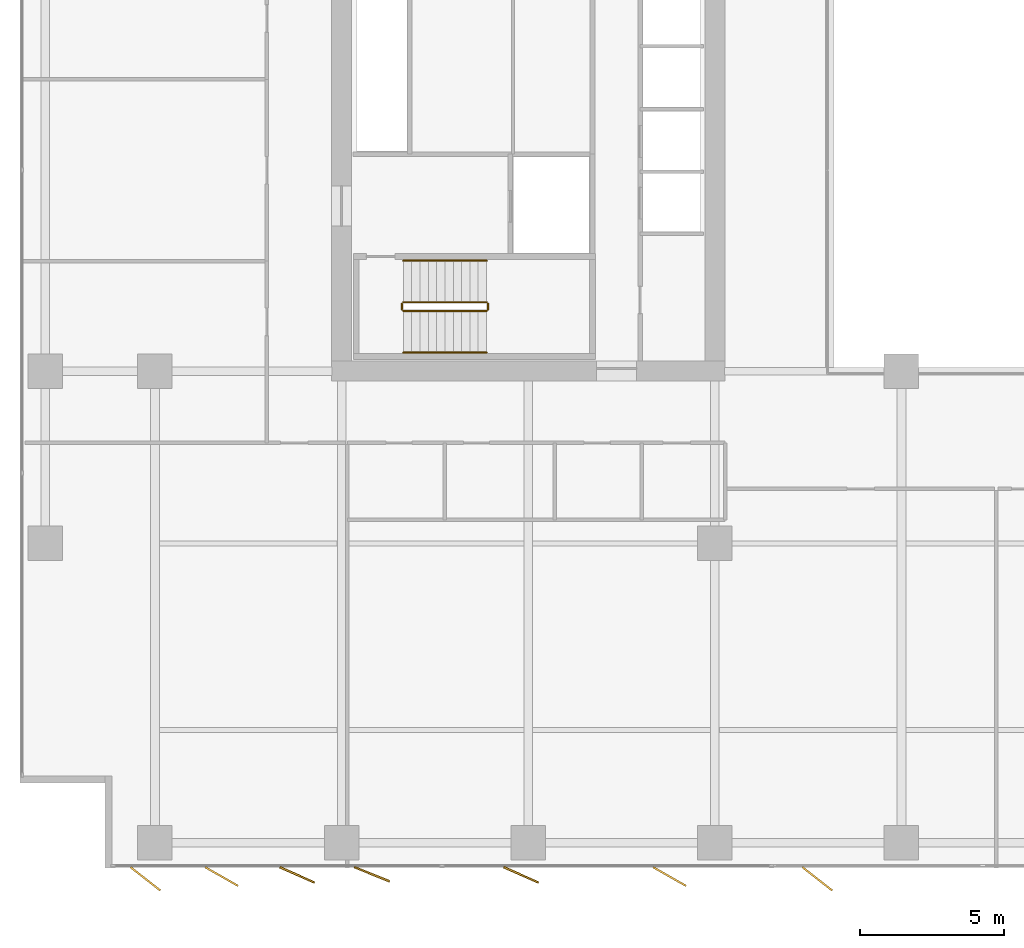
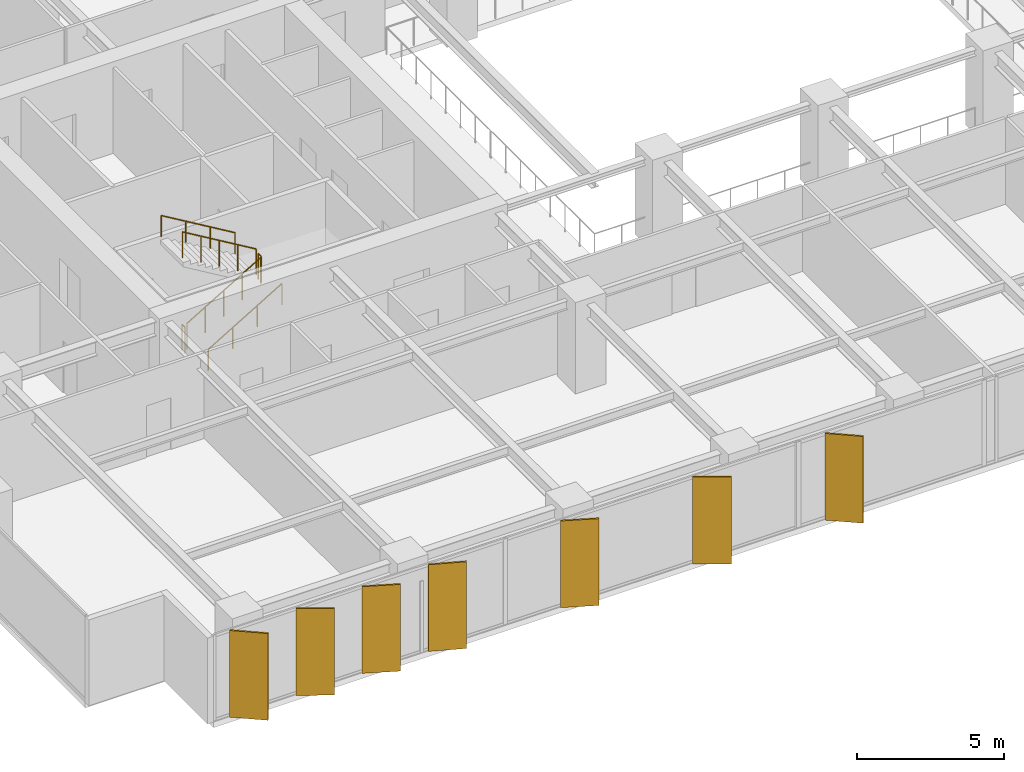
# One storey, part 17 of 20: 7 shading devices, 6 railings.
"""IFC4 building model written with IfcOpenShell, lengths in metres."""

from ifc_helpers import new_model, si_unit, direction, frame, origin, origin_2d, place, context, subcontext, project, spatial, rectangle, circle, extrude, material, layer, layer_set, type_object, element, save


model = new_model("IFC4")

# Units and contexts
model_context = context("Model", 3, precision=1e-05, world=origin(), true_north=direction((0.0, 1.0)))
body_context = subcontext(model_context, "Body", "Model", "MODEL_VIEW")
ifc_project = project(units=[si_unit("LENGTHUNIT", "METRE"), si_unit("AREAUNIT", "SQUARE_METRE"), si_unit("VOLUMEUNIT", "CUBIC_METRE"), si_unit("PLANEANGLEUNIT", "RADIAN"), si_unit("MASSUNIT", "GRAM", prefix="KILO")], contexts=[model_context])

# Site, building, storey
site_placement = place(None, origin())
site = spatial("IfcSite", under=ifc_project, at=site_placement, CompositionType="ELEMENT")
building_placement = place(site_placement, origin())
building = spatial("IfcBuilding", under=site, at=building_placement, Name="Putna Gate Headquarters", CompositionType="ELEMENT")
storey_placement = place(building_placement, frame((0.0, 0.0, 116.39990234375)))
storey = spatial("IfcBuildingStorey", under=building, at=storey_placement, Name="L28", CompositionType="ELEMENT", Elevation=116.39990234375)

# Railings
ifc_material_1 = material(Name="Powder-coated steel stair guardrail", Category="steel")
railing_type_1 = type_object("IfcRailingType", Name="RAIL-STAIR-GUARD-1100", PredefinedType="GUARDRAIL", material=ifc_material_1)
railing_1_placement = place(storey_placement, frame((15.14990234375, 21.10009765625, 0.1728515625)))
element("IfcRailing", 1, at=railing_1_placement, inside=storey, type_object=railing_type_1, Name="L28 ST1 stair guard 1", PredefinedType="GUARDRAIL", context=body_context, shape_type="SweptSolid", body=[
    extrude(circle(Radius=0.02392578125, at=origin_2d()), frame((0.0, 0.0, 1.076171875), z_axis=(0.859160404282, 0.0, 0.51170636083), x_axis=(0.0, 1.0, 0.0)), (0.0, 0.0, 1.0), 3.37548828125),
    extrude(circle(Radius=0.02099609375, at=origin_2d()), origin(), (0.0, 0.0, 1.0), 1.052001953125),
    extrude(circle(Radius=0.02099609375, at=origin_2d()), frame((0.72509765625, 0.0, 0.431884765625)), (0.0, 0.0, 1.0), 1.052001953125),
    extrude(circle(Radius=0.02099609375, at=origin_2d()), frame((1.4501953125, 0.0, 0.86376953125)), (0.0, 0.0, 1.0), 1.052001953125),
    extrude(circle(Radius=0.02099609375, at=origin_2d()), frame((2.175048828125, 0.0, 1.29541015625)), (0.0, 0.0, 1.0), 1.052001953125),
    extrude(circle(Radius=0.02099609375, at=origin_2d()), frame((2.900146484375, 0.0, 1.727294921875)), (0.0, 0.0, 1.0), 1.052001953125),
])
railing_2_placement = place(storey_placement, frame((18.10009765625, 21.14990234375, 1.900146484375)))
element("IfcRailing", 2, at=railing_2_placement, inside=storey, type_object=railing_type_1, Name="L28 ST1 stair guard 2", PredefinedType="GUARDRAIL", context=body_context, shape_type="SweptSolid", body=[
    extrude(circle(Radius=0.02392578125, at=origin_2d()), frame((0.0, 0.0, 1.076171875), z_axis=(0.0, 1.0, 0.0), x_axis=(-1.0, 0.0, 0.0)), (0.0, 0.0, 1.0), 0.2001953125),
    extrude(circle(Radius=0.02099609375, at=origin_2d()), origin(), (0.0, 0.0, 1.0), 1.052001953125),
    extrude(circle(Radius=0.02099609375, at=origin_2d()), frame((0.0, 0.2001953125, 0.0)), (0.0, 0.0, 1.0), 1.052001953125),
])
railing_3_placement = place(storey_placement, frame((18.050048828125, 21.39990234375, 2.07275390625)))
element("IfcRailing", 3, at=railing_3_placement, inside=storey, type_object=railing_type_1, Name="L28 ST1 stair guard 3", PredefinedType="GUARDRAIL", context=body_context, shape_type="SweptSolid", body=[
    extrude(circle(Radius=0.02392578125, at=origin_2d()), frame((0.0, 0.0, 1.076171875), z_axis=(-0.859160404282, 0.0, 0.51170636083), x_axis=(0.0, -1.0, 0.0)), (0.0, 0.0, 1.0), 3.37548828125),
    extrude(circle(Radius=0.02099609375, at=origin_2d()), origin(), (0.0, 0.0, 1.0), 1.052001953125),
    extrude(circle(Radius=0.02099609375, at=origin_2d()), frame((-0.72509765625, 0.0, 0.431884765625)), (0.0, 0.0, 1.0), 1.052001953125),
    extrude(circle(Radius=0.02099609375, at=origin_2d()), frame((-1.4501953125, 0.0, 0.86376953125)), (0.0, 0.0, 1.0), 1.052001953125),
    extrude(circle(Radius=0.02099609375, at=origin_2d()), frame((-2.175048828125, 0.0, 1.29541015625)), (0.0, 0.0, 1.0), 1.052001953125),
    extrude(circle(Radius=0.02099609375, at=origin_2d()), frame((-2.900146484375, 0.0, 1.727294921875)), (0.0, 0.0, 1.0), 1.052001953125),
])
railing_4_placement = place(storey_placement, frame((15.10009765625, 21.14990234375, 0.0)))
element("IfcRailing", 4, at=railing_4_placement, inside=storey, type_object=railing_type_1, Name="L28 ST1 stair guard 4", PredefinedType="GUARDRAIL", context=body_context, shape_type="SweptSolid", body=[
    extrude(circle(Radius=0.02392578125, at=origin_2d()), frame((0.0, 0.0, 1.076171875), z_axis=(0.0, 1.0, 0.0), x_axis=(-1.0, 0.0, 0.0)), (0.0, 0.0, 1.0), 0.2001953125),
    extrude(circle(Radius=0.02099609375, at=origin_2d()), origin(), (0.0, 0.0, 1.0), 1.052001953125),
    extrude(circle(Radius=0.02099609375, at=origin_2d()), frame((0.0, 0.2001953125, 0.0)), (0.0, 0.0, 1.0), 1.052001953125),
])
ifc_material_2 = material(Name="Brushed stainless steel handrail", Category="steel")
railing_type_2 = type_object("IfcRailingType", Name="RAIL-STAIR-HAND-900", PredefinedType="HANDRAIL", material=ifc_material_2)
railing_5_placement = place(storey_placement, frame((15.14990234375, 19.64990234375, 0.1728515625)))
element("IfcRailing", 5, at=railing_5_placement, inside=storey, type_object=railing_type_2, Name="L28 ST1 stair handrail 1", PredefinedType="HANDRAIL", context=body_context, shape_type="SweptSolid", body=[
    extrude(circle(Radius=0.02392578125, at=origin_2d()), frame((0.0, 0.0, 0.8759765625), z_axis=(0.859160404282, 0.0, 0.51170636083), x_axis=(0.0, 1.0, 0.0)), (0.0, 0.0, 1.0), 3.37548828125),
    extrude(circle(Radius=0.02099609375, at=origin_2d()), origin(), (0.0, 0.0, 1.0), 0.851806640625),
    extrude(circle(Radius=0.02099609375, at=origin_2d()), frame((0.966796875, 0.0, 0.57568359375)), (0.0, 0.0, 1.0), 0.851806640625),
    extrude(circle(Radius=0.02099609375, at=origin_2d()), frame((1.933349609375, 0.0, 1.151611328125)), (0.0, 0.0, 1.0), 0.851806640625),
    extrude(circle(Radius=0.02099609375, at=origin_2d()), frame((2.900146484375, 0.0, 1.727294921875)), (0.0, 0.0, 1.0), 0.851806640625),
])
railing_6_placement = place(storey_placement, frame((18.050048828125, 22.85009765625, 2.07275390625)))
element("IfcRailing", 6, at=railing_6_placement, inside=storey, type_object=railing_type_2, Name="L28 ST1 stair handrail 2", PredefinedType="HANDRAIL", context=body_context, shape_type="SweptSolid", body=[
    extrude(circle(Radius=0.02392578125, at=origin_2d()), frame((0.0, 0.0, 0.8759765625), z_axis=(-0.859160404282, 0.0, 0.51170636083), x_axis=(0.0, -1.0, 0.0)), (0.0, 0.0, 1.0), 3.37548828125),
    extrude(circle(Radius=0.02099609375, at=origin_2d()), origin(), (0.0, 0.0, 1.0), 0.851806640625),
    extrude(circle(Radius=0.02099609375, at=origin_2d()), frame((-0.966796875, 0.0, 0.57568359375)), (0.0, 0.0, 1.0), 0.851806640625),
    extrude(circle(Radius=0.02099609375, at=origin_2d()), frame((-1.933349609375, 0.0, 1.151611328125)), (0.0, 0.0, 1.0), 0.851806640625),
    extrude(circle(Radius=0.02099609375, at=origin_2d()), frame((-2.900146484375, 0.0, 1.727294921875)), (0.0, 0.0, 1.0), 0.851806640625),
])

# Shading devices
ifc_material_3 = material(Name="Anodised architectural bronze aluminium fin", Category="aluminium")
ifc_layer = layer(ifc_material_3, 0.06494140625)
ifc_layer_set = layer_set([ifc_layer], Name="Anodised architectural bronze aluminium fin")
shading_device_type = type_object("IfcShadingDeviceType", Name="SHADE-BRONZE-FIN-1320", PredefinedType="USERDEFINED", material=ifc_layer_set)
for number, where, z_axis, x_axis, name in (
    (7, (6.169677734375, 1.318115234375, -0.019775390625), (0.0, 0.0, 1.0), (0.787473187632, -0.616348909921, 0.0), "L28 Bronze Vertical Shading Fin S1"),
    (8, (8.82373046875, 1.398681640625, -0.019775390625), (0.0, 0.0, 1.0), (0.869322458298, -0.494245347472, 0.0), "L28 Bronze Vertical Shading Fin S2"),
    (9, (11.452880859375, 1.456787109375, -0.019775390625), (0.0, 0.0, 1.0), (0.913687379856, -0.40641773078, 0.0), "L28 Bronze Vertical Shading Fin S3"),
    (10, (14.06201171875, 1.477783203125, -0.019775390625), (0.0, 0.0, 1.0), (0.927183854567, -0.374606593416, 0.0), "L28 Bronze Vertical Shading Fin S4"),
    (11, (19.2529296875, 1.456787109375, -0.019775390625), (0.0, 0.0, 1.0), (0.913687379856, -0.40641773078, 0.0), "L28 Bronze Vertical Shading Fin S5"),
    (12, (24.423828125, 1.398681640625, -0.019775390625), (0.0, 0.0, 1.0), (0.869322458298, -0.494245347472, 0.0), "L28 Bronze Vertical Shading Fin S6"),
    (13, (29.569580078125, 1.318115234375, -0.019775390625), (0.0, 0.0, 1.0), (0.787473187632, -0.616348909921, 0.0), "L28 Bronze Vertical Shading Fin S7"),
):
    element("IfcShadingDevice", number, at=place(storey_placement, frame(where, z_axis=z_axis, x_axis=x_axis)), inside=storey, type_object=shading_device_type, Name=name, ObjectType="FIN", PredefinedType="USERDEFINED", context=body_context, shape_type="SweptSolid", body=[
        extrude(rectangle(XDim=1.320068359375, YDim=0.06494140625, at=origin_2d()), origin(), (0.0, 0.0, 1.0), 3.60498046875),
    ])

save(model, "model.ifc")
